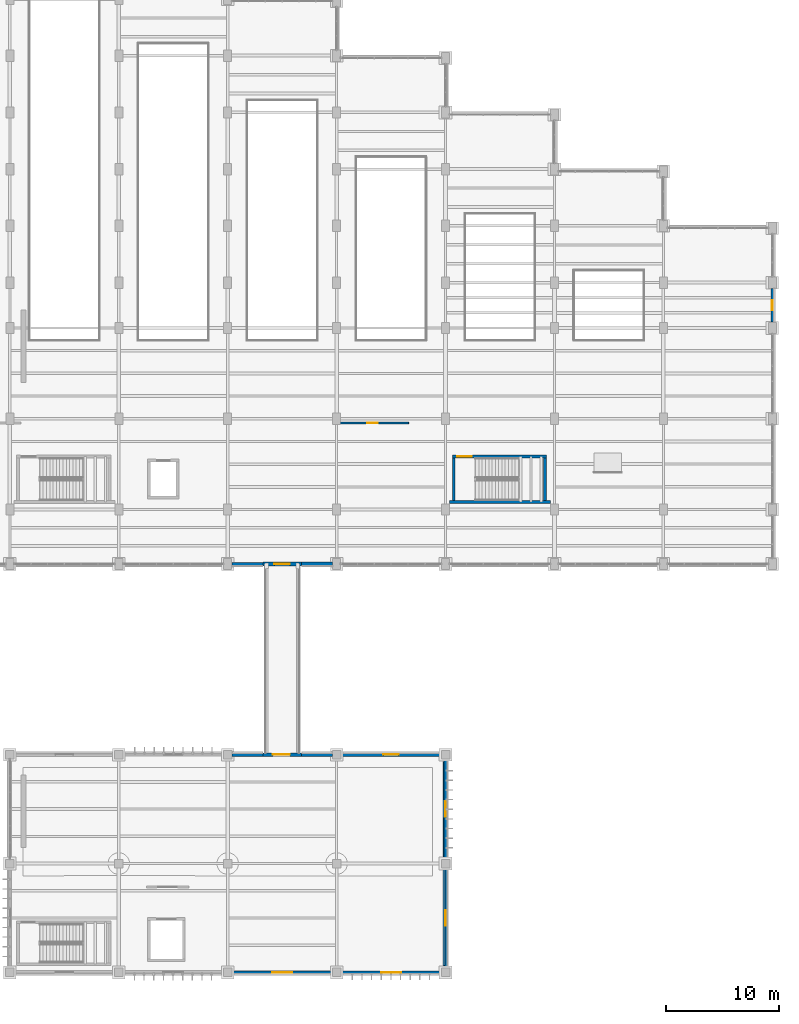
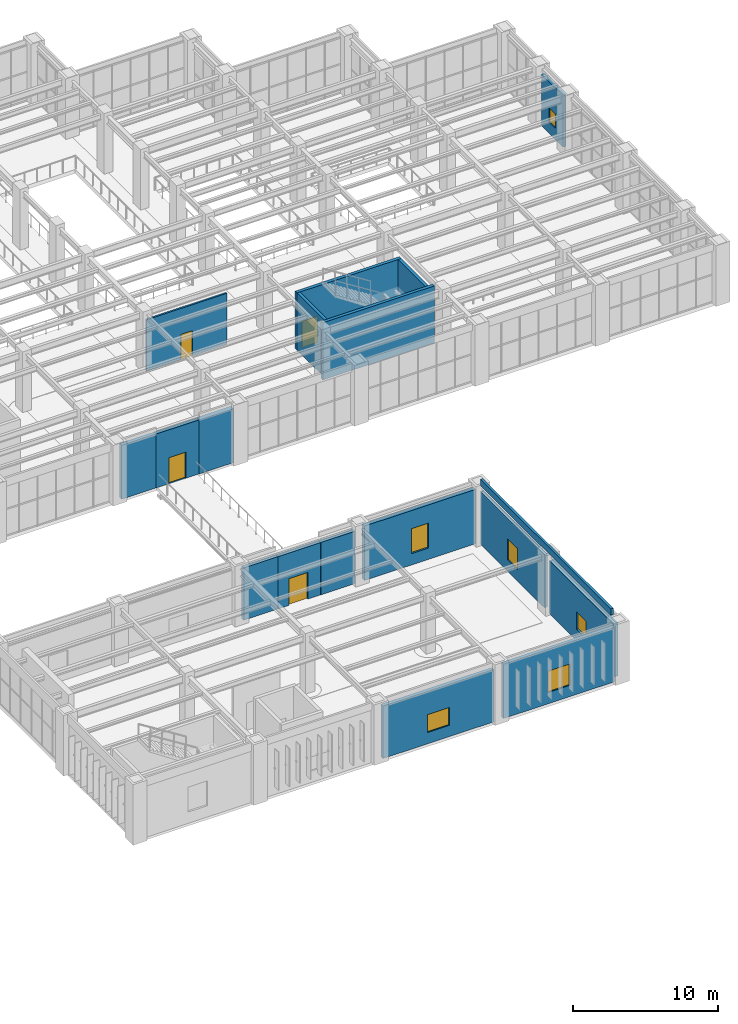
# One storey, part 146 of 174: 18 walls, 6 windows, 4 doors, 10 openings.
"""IFC4 building model written with IfcOpenShell, lengths in metres."""

from ifc_helpers import new_model, si_unit, direction, frame, frame_2d, origin, place, context, subcontext, project, spatial, rectangle, extrude, material, layer, layer_set, type_object, element, fill, save


model = new_model("IFC4")

# Units and contexts
model_context = context("Model", 3, precision=1e-05, world=origin(), true_north=direction((0.0, 1.0)))
body_context = subcontext(model_context, "Body", "Model", "MODEL_VIEW")
ifc_project = project(units=[si_unit("LENGTHUNIT", "METRE"), si_unit("AREAUNIT", "SQUARE_METRE"), si_unit("VOLUMEUNIT", "CUBIC_METRE"), si_unit("PLANEANGLEUNIT", "RADIAN"), si_unit("MASSUNIT", "GRAM", prefix="KILO")], contexts=[model_context])

# Site, building, storey
site_placement = place(None, origin())
site = spatial("IfcSite", under=ifc_project, at=site_placement, CompositionType="ELEMENT")
building_placement = place(site_placement, origin())
building = spatial("IfcBuilding", under=site, at=building_placement, Name="Mavantir Sound Aquarium", CompositionType="ELEMENT")
storey_placement = place(building_placement, frame((0.0, 0.0, 5.39990234375)))
storey = spatial("IfcBuildingStorey", under=building, at=storey_placement, Name="L01", CompositionType="ELEMENT", Elevation=5.39990234375)

# Wall, opening, door
ifc_material_1 = material(Name="Coral-Buff Architectural Precast Concrete C40/50", Category="concrete")
ifc_layer_1 = layer(ifc_material_1, 0.31005859375, Name="Coral-Buff Architectural Precast Concrete C40/50")
ifc_layer_set_1 = layer_set([ifc_layer_1], Name="Coral-Buff Architectural Precast Concrete C40/50")
wall_type_1 = type_object("IfcWallType", Name="EW-CORAL-310", PredefinedType="SOLIDWALL", material=ifc_layer_set_1)
wall_1_placement = place(storey_placement, frame((130.300048828125, 36.0, 0.0), z_axis=(0.0, 0.0, 1.0), x_axis=(1.0, 0.0, 0.0)))
wall_1 = element("IfcWall", 1, at=wall_1_placement, inside=storey, type_object=wall_type_1, Name="L01 bridge portal wall 7", PredefinedType="SOLIDWALL", context=body_context, shape_type="SweptSolid", body=[
    extrude(rectangle(XDim=3.39990234375, YDim=0.31005859375, at=frame_2d((1.699951171875, 0.0))), origin(), (0.0, 0.0, 1.0), 4.543212890625),
])
opening_1_placement = place(wall_1_placement, frame((2.3701171875, 0.0, 0.0), z_axis=(0.0, 0.0, 1.0), x_axis=(-1.0, 0.0, 0.0)))
opening_1 = element("IfcOpeningElement", 2, at=opening_1_placement, cuts=wall_1, Name="Opening ETD-02", PredefinedType="OPENING", context=body_context, shape_type="SweptSolid", body=[
    extrude(rectangle(XDim=1.35009765625, YDim=2.199951171875, at=frame_2d((0.675048828125, 1.10009765625))), frame((0.0, 0.1650390625, 0.0), z_axis=(0.0, -1.0, 0.0), x_axis=(1.0, 0.0, 0.0)), (0.0, 0.0, 1.0), 0.330078125),
])
ifc_material_2 = material(Name="Marine-Grade Anodised Aluminium and Laminated Glass", Category="aluminium")
door_type_1 = type_object("IfcDoorType", Name="DR-TER-135", OperationType="NOTDEFINED", PredefinedType="DOOR", material=ifc_material_2)
door_1_placement = place(opening_1_placement, origin())
door_1 = element("IfcDoor", 3, at=door_1_placement, inside=storey, type_object=door_type_1, Name="L01 bridge access door 7", OperationType="SINGLE_SWING_RIGHT", OverallHeight=2.199951171875, OverallWidth=1.35009765625, PredefinedType="DOOR", context=body_context, shape_type="SweptSolid", body=[
    extrude(rectangle(XDim=1.35009765625, YDim=2.199951171875, at=frame_2d((0.675048828125, 1.10009765625))), frame((0.0, 0.02490234375, 0.0), z_axis=(0.0, -1.0, 0.0), x_axis=(1.0, 0.0, 0.0)), (0.0, 0.0, 1.0), 0.050048828125),
])
fill(opening_1, door_1)

wall_2_placement = place(storey_placement, frame((133.699951171875, 19.199951171875, 0.0), z_axis=(0.0, 0.0, 1.0), x_axis=(-1.0, 0.0, 0.0)))
wall_2 = element("IfcWall", 4, at=wall_2_placement, inside=storey, type_object=wall_type_1, Name="L01 bridge portal wall 8", PredefinedType="SOLIDWALL", context=body_context, shape_type="SweptSolid", body=[
    extrude(rectangle(XDim=3.39990234375, YDim=0.31005859375, at=frame_2d((1.699951171875, 0.0))), origin(), (0.0, 0.0, 1.0), 4.408203125),
])
opening_2_placement = place(wall_2_placement, frame((2.52001953125, 0.0, 0.0), z_axis=(0.0, 0.0, 1.0), x_axis=(-1.0, 0.0, 0.0)))
opening_2 = element("IfcOpeningElement", 5, at=opening_2_placement, cuts=wall_2, Name="Opening ETD-01", PredefinedType="OPENING", context=body_context, shape_type="SweptSolid", body=[
    extrude(rectangle(XDim=1.5, YDim=2.25, at=frame_2d((0.75, 1.125))), frame((0.0, 0.1650390625, 0.0), z_axis=(0.0, -1.0, 0.0), x_axis=(1.0, 0.0, 0.0)), (0.0, 0.0, 1.0), 0.330078125),
])
door_type_2 = type_object("IfcDoorType", Name="DR-TER-150", OperationType="NOTDEFINED", PredefinedType="DOOR", material=ifc_material_2)
door_2_placement = place(opening_2_placement, origin())
door_2 = element("IfcDoor", 6, at=door_2_placement, inside=storey, type_object=door_type_2, Name="L01 bridge access door 8", OperationType="SINGLE_SWING_LEFT", OverallHeight=2.25, OverallWidth=1.5, PredefinedType="DOOR", context=body_context, shape_type="SweptSolid", body=[
    extrude(rectangle(XDim=1.5, YDim=2.25, at=frame_2d((0.75, 1.125))), frame((0.0, 0.02490234375, 0.0), z_axis=(0.0, -1.0, 0.0), x_axis=(1.0, 0.0, 0.0)), (0.0, 0.0, 1.0), 0.050048828125),
])
fill(opening_2, door_2)

# Wall
wall_3_placement = place(storey_placement, frame((136.4169921875, 19.199951171875, 0.0), z_axis=(0.0, 0.0, 1.0), x_axis=(-1.0, 0.0, 0.0)))
element("IfcWall", 7, at=wall_3_placement, inside=storey, type_object=wall_type_1, Name="L01 exterior facade wall EW-02 182", PredefinedType="SOLIDWALL", context=body_context, shape_type="SweptSolid", body=[
    extrude(rectangle(XDim=2.7119140625, YDim=0.31005859375, at=frame_2d((1.35595703125, 0.0))), origin(), (0.0, 0.0, 1.0), 4.408203125),
])

# Wall, opening, window
ifc_layer_2 = layer(ifc_material_1, 0.340087890625, Name="Coral-Buff Architectural Precast Concrete C40/50")
ifc_layer_set_2 = layer_set([ifc_layer_2], Name="Coral-Buff Architectural Precast Concrete C40/50")
wall_type_2 = type_object("IfcWallType", Name="EW-CORAL-340", PredefinedType="SOLIDWALL", material=ifc_layer_set_2)
wall_4_placement = place(storey_placement, frame((146.01708984375, 19.199951171875, 0.0), z_axis=(0.0, 0.0, 1.0), x_axis=(-1.0, 0.0, 0.0)))
wall_4 = element("IfcWall", 8, at=wall_4_placement, inside=storey, type_object=wall_type_2, Name="L01 exterior facade wall EW-01 181", PredefinedType="SOLIDWALL", context=body_context, shape_type="SweptSolid", body=[
    extrude(rectangle(XDim=8.833984375, YDim=0.340087890625, at=frame_2d((4.4169921875, 0.0))), origin(), (0.0, 0.0, 1.0), 4.5830078125),
])
opening_3_placement = place(wall_4_placement, frame((3.741943359375, 0.0, 0.949951171875)))
opening_3 = element("IfcOpeningElement", 9, at=opening_3_placement, cuts=wall_4, Name="Opening W-12", PredefinedType="OPENING", context=body_context, shape_type="SweptSolid", body=[
    extrude(rectangle(XDim=1.35009765625, YDim=2.10009765625, at=frame_2d((0.675048828125, 1.050048828125))), frame((0.0, 0.18017578125, 0.0), z_axis=(0.0, -1.0, 0.0), x_axis=(1.0, 0.0, 0.0)), (0.0, 0.0, 1.0), 0.360107421875),
])
ifc_material_3 = material(Name="Thermally Broken Aluminium and Low-E Glass", Category="aluminium")
window_type_1 = type_object("IfcWindowType", Name="WIN-EXT-12", PartitioningType="SINGLE_PANEL", PredefinedType="WINDOW", material=ifc_material_3)
window_1_placement = place(opening_3_placement, origin())
window_1 = element("IfcWindow", 10, at=window_1_placement, inside=storey, type_object=window_type_1, Name="L01 facade window W-12 60", OverallHeight=2.10009765625, OverallWidth=1.35009765625, PartitioningType="SINGLE_PANEL", PredefinedType="WINDOW", context=body_context, shape_type="SweptSolid", body=[
    extrude(rectangle(XDim=1.35009765625, YDim=2.10009765625, at=frame_2d((0.675048828125, 1.050048828125))), frame((0.0, 0.030029296875, 0.0), z_axis=(0.0, -1.0, 0.0), x_axis=(1.0, 0.0, 0.0)), (0.0, 0.0, 1.0), 0.06005859375),
])
fill(opening_3, window_1)

# Wall
ifc_material_4 = material(Name="Architectural Precast Concrete C40/50", Category="concrete")
ifc_layer_3 = layer(ifc_material_4, 0.18994140625, Name="Architectural Precast Concrete C40/50")
ifc_layer_set_3 = layer_set([ifc_layer_3], Name="Architectural Precast Concrete C40/50")
wall_type_3 = type_object("IfcWallType", Name="EW-PAR-190", PredefinedType="PARAPET", material=ifc_layer_set_3)
wall_5_placement = place(storey_placement, frame((146.25, 0.60009765625, 5.10009765625), z_axis=(0.0, 0.0, 1.0), x_axis=(0.0, 1.0, 0.0)))
element("IfcWall", 11, at=wall_5_placement, inside=storey, type_object=wall_type_3, Name="Roof gravel-stop parapet 6A", PredefinedType="PARAPET", context=body_context, shape_type="SweptSolid", body=[
    extrude(rectangle(XDim=18.0, YDim=0.18994140625, at=frame_2d((9.0, 0.0))), origin(), (0.0, 0.0, 1.0), 0.550048828125),
])

# Wall, opening, window
ifc_layer_4 = layer(ifc_material_4, 0.239990234375, Name="Architectural Precast Concrete C40/50")
ifc_layer_set_4 = layer_set([ifc_layer_4], Name="Architectural Precast Concrete C40/50")
wall_type_4 = type_object("IfcWallType", Name="EW-PRE-240", PredefinedType="SOLIDWALL", material=ifc_layer_set_4)
wall_6_placement = place(storey_placement, frame((175.199951171875, 57.30810546875, 0.0), z_axis=(0.0, 0.0, 1.0), x_axis=(0.0, 1.0, 0.0)))
wall_6 = element("IfcWall", 12, at=wall_6_placement, inside=storey, type_object=wall_type_4, Name="L01 exterior facade wall EW-06 168", PredefinedType="SOLIDWALL", context=body_context, shape_type="SweptSolid", body=[
    extrude(rectangle(XDim=2.98388671875, YDim=0.239990234375, at=frame_2d((1.491943359375, 0.0))), origin(), (0.0, 0.0, 1.0), 4.359130859375),
])
opening_4_placement = place(wall_6_placement, frame((1.0419921875, 0.0, 0.949951171875)))
opening_4 = element("IfcOpeningElement", 13, at=opening_4_placement, cuts=wall_6, Name="Opening W-01", PredefinedType="OPENING", context=body_context, shape_type="SweptSolid", body=[
    extrude(rectangle(XDim=0.89990234375, YDim=1.199951171875, at=frame_2d((0.449951171875, 0.60009765625))), frame((0.0, 0.1298828125, 0.0), z_axis=(0.0, -1.0, 0.0), x_axis=(1.0, 0.0, 0.0)), (0.0, 0.0, 1.0), 0.260009765625),
])
window_type_2 = type_object("IfcWindowType", Name="WIN-EXT-01", PartitioningType="SINGLE_PANEL", PredefinedType="WINDOW", material=ifc_material_3)
window_2_placement = place(opening_4_placement, origin())
window_2 = element("IfcWindow", 14, at=window_2_placement, inside=storey, type_object=window_type_2, Name="L01 facade window W-01 49", OverallHeight=1.199951171875, OverallWidth=0.89990234375, PartitioningType="SINGLE_PANEL", PredefinedType="WINDOW", context=body_context, shape_type="SweptSolid", body=[
    extrude(rectangle(XDim=0.89990234375, YDim=1.199951171875, at=frame_2d((0.449951171875, 0.60009765625))), frame((0.0, 0.030029296875, 0.0), z_axis=(0.0, -1.0, 0.0), x_axis=(1.0, 0.0, 0.0)), (0.0, 0.0, 1.0), 0.06005859375),
])
fill(opening_4, window_2)

wall_7_placement = place(storey_placement, frame((146.39990234375, 9.98291015625, 0.0), z_axis=(0.0, 0.0, 1.0), x_axis=(0.0, 1.0, 0.0)))
wall_7 = element("IfcWall", 15, at=wall_7_placement, inside=storey, type_object=wall_type_4, Name="L01 exterior facade wall EW-06 180", PredefinedType="SOLIDWALL", context=body_context, shape_type="SweptSolid", body=[
    extrude(rectangle(XDim=8.833984375, YDim=0.239990234375, at=frame_2d((4.4169921875, 0.0))), origin(), (0.0, 0.0, 1.0), 4.47802734375),
])
opening_5_placement = place(wall_7_placement, frame((3.741943359375, 0.0, 0.949951171875)))
opening_5 = element("IfcOpeningElement", 16, at=opening_5_placement, cuts=wall_7, Name="Opening W-11", PredefinedType="OPENING", context=body_context, shape_type="SweptSolid", body=[
    extrude(rectangle(XDim=1.35009765625, YDim=1.800048828125, at=frame_2d((0.675048828125, 0.89990234375))), frame((0.0, 0.1298828125, 0.0), z_axis=(0.0, -1.0, 0.0), x_axis=(1.0, 0.0, 0.0)), (0.0, 0.0, 1.0), 0.260009765625),
])
window_type_3 = type_object("IfcWindowType", Name="WIN-EXT-11", PartitioningType="SINGLE_PANEL", PredefinedType="WINDOW", material=ifc_material_3)
window_3_placement = place(opening_5_placement, origin())
window_3 = element("IfcWindow", 17, at=window_3_placement, inside=storey, type_object=window_type_3, Name="L01 facade window W-11 59", OverallHeight=1.800048828125, OverallWidth=1.35009765625, PartitioningType="SINGLE_PANEL", PredefinedType="WINDOW", context=body_context, shape_type="SweptSolid", body=[
    extrude(rectangle(XDim=1.35009765625, YDim=1.800048828125, at=frame_2d((0.675048828125, 0.89990234375))), frame((0.0, 0.030029296875, 0.0), z_axis=(0.0, -1.0, 0.0), x_axis=(1.0, 0.0, 0.0)), (0.0, 0.0, 1.0), 0.06005859375),
])
fill(opening_5, window_3)

# Wall
ifc_layer_5 = layer(ifc_material_1, 0.360107421875, Name="Coral-Buff Architectural Precast Concrete C40/50")
ifc_layer_set_5 = layer_set([ifc_layer_5], Name="Coral-Buff Architectural Precast Concrete C40/50")
wall_type_5 = type_object("IfcWallType", Name="EW-PRE-360", PredefinedType="SOLIDWALL", material=ifc_layer_set_5)
wall_8_placement = place(storey_placement, frame((133.705078125, 36.0, 0.0), z_axis=(0.0, 0.0, 1.0), x_axis=(1.0, 0.0, 0.0)))
element("IfcWall", 18, at=wall_8_placement, inside=storey, type_object=wall_type_5, Name="L01 exterior facade wall EW-05 167", PredefinedType="SOLIDWALL", context=body_context, shape_type="SweptSolid", body=[
    extrude(rectangle(XDim=2.73681640625, YDim=0.360107421875, at=frame_2d((1.368408203125, 0.0))), origin(), (0.0, 0.0, 1.0), 4.543212890625),
])

# Wall, opening, window
wall_9_placement = place(storey_placement, frame((146.39990234375, 0.383056640625, 0.0), z_axis=(0.0, 0.0, 1.0), x_axis=(0.0, 1.0, 0.0)))
wall_9 = element("IfcWall", 19, at=wall_9_placement, inside=storey, type_object=wall_type_5, Name="L01 exterior facade wall EW-05 179", PredefinedType="SOLIDWALL", context=body_context, shape_type="SweptSolid", body=[
    extrude(rectangle(XDim=8.833984375, YDim=0.360107421875, at=frame_2d((4.4169921875, 0.0))), origin(), (0.0, 0.0, 1.0), 4.47802734375),
])
opening_6_placement = place(wall_9_placement, frame((3.741943359375, 0.0, 0.949951171875)))
opening_6 = element("IfcOpeningElement", 20, at=opening_6_placement, cuts=wall_9, Name="Opening W-10", PredefinedType="OPENING", context=body_context, shape_type="SweptSolid", body=[
    extrude(rectangle(XDim=1.35009765625, YDim=1.5, at=frame_2d((0.675048828125, 0.75))), frame((0.0, 0.18994140625, 0.0), z_axis=(0.0, -1.0, 0.0), x_axis=(1.0, 0.0, 0.0)), (0.0, 0.0, 1.0), 0.380126953125),
])
window_type_4 = type_object("IfcWindowType", Name="WIN-EXT-10", PartitioningType="SINGLE_PANEL", PredefinedType="WINDOW", material=ifc_material_3)
window_4_placement = place(opening_6_placement, origin())
window_4 = element("IfcWindow", 21, at=window_4_placement, inside=storey, type_object=window_type_4, Name="L01 facade window W-10 58", OverallHeight=1.5, OverallWidth=1.35009765625, PartitioningType="SINGLE_PANEL", PredefinedType="WINDOW", context=body_context, shape_type="SweptSolid", body=[
    extrude(rectangle(XDim=1.35009765625, YDim=1.5, at=frame_2d((0.675048828125, 0.75))), frame((0.0, 0.030029296875, 0.0), z_axis=(0.0, -1.0, 0.0), x_axis=(1.0, 0.0, 0.0)), (0.0, 0.0, 1.0), 0.06005859375),
])
fill(opening_6, window_4)

# Wall
ifc_material_5 = material(Name="Cerulean Glazed Terracotta Rainscreen on Concrete C40/50", Category="masonry")
ifc_layer_6 = layer(ifc_material_5, 0.27001953125, Name="Cerulean Glazed Terracotta Rainscreen on Concrete C40/50")
ifc_layer_set_6 = layer_set([ifc_layer_6], Name="Cerulean Glazed Terracotta Rainscreen on Concrete C40/50")
wall_type_6 = type_object("IfcWallType", Name="EW-TERRA-270", PredefinedType="SOLIDWALL", material=ifc_layer_set_6)
wall_10_placement = place(storey_placement, frame((127.55810546875, 36.0, 0.0), z_axis=(0.0, 0.0, 1.0), x_axis=(1.0, 0.0, 0.0)))
element("IfcWall", 22, at=wall_10_placement, inside=storey, type_object=wall_type_6, Name="L01 exterior facade wall EW-04 166", PredefinedType="SOLIDWALL", context=body_context, shape_type="SweptSolid", body=[
    extrude(rectangle(XDim=2.73681640625, YDim=0.27001953125, at=frame_2d((1.368408203125, 0.0))), origin(), (0.0, 0.0, 1.0), 4.543212890625),
])

# Wall, opening, window
wall_11_placement = place(storey_placement, frame((137.18310546875, 0.0, 0.0), z_axis=(0.0, 0.0, 1.0), x_axis=(1.0, 0.0, 0.0)))
wall_11 = element("IfcWall", 23, at=wall_11_placement, inside=storey, type_object=wall_type_6, Name="L01 exterior facade wall EW-04 190", PredefinedType="SOLIDWALL", context=body_context, shape_type="SweptSolid", body=[
    extrude(rectangle(XDim=8.833984375, YDim=0.27001953125, at=frame_2d((4.4169921875, 0.0))), origin(), (0.0, 0.0, 1.0), 4.5830078125),
])
opening_7_placement = place(wall_11_placement, frame((3.5419921875, 0.0, 0.949951171875)))
opening_7 = element("IfcOpeningElement", 24, at=opening_7_placement, cuts=wall_11, Name="Opening W-19", PredefinedType="OPENING", context=body_context, shape_type="SweptSolid", body=[
    extrude(rectangle(XDim=1.75, YDim=1.800048828125, at=frame_2d((0.875, 0.89990234375))), frame((0.0, 0.14501953125, 0.0), z_axis=(0.0, -1.0, 0.0), x_axis=(1.0, 0.0, 0.0)), (0.0, 0.0, 1.0), 0.2900390625),
])
window_type_5 = type_object("IfcWindowType", Name="WIN-EXT-19", PartitioningType="DOUBLE_PANEL_VERTICAL", PredefinedType="WINDOW", material=ifc_material_3)
window_5_placement = place(opening_7_placement, origin())
window_5 = element("IfcWindow", 25, at=window_5_placement, inside=storey, type_object=window_type_5, Name="L01 facade window W-19 67", OverallHeight=1.800048828125, OverallWidth=1.75, PartitioningType="SINGLE_PANEL", PredefinedType="WINDOW", context=body_context, shape_type="SweptSolid", body=[
    extrude(rectangle(XDim=1.75, YDim=1.800048828125, at=frame_2d((0.875, 0.89990234375))), frame((0.0, 0.030029296875, 0.0), z_axis=(0.0, -1.0, 0.0), x_axis=(1.0, 0.0, 0.0)), (0.0, 0.0, 1.0), 0.06005859375),
])
fill(opening_7, window_5)

# Wall
ifc_material_6 = material(Name="Turquoise Glazed Terracotta Rainscreen on Concrete C40/50", Category="masonry")
ifc_layer_7 = layer(ifc_material_6, 0.2900390625, Name="Turquoise Glazed Terracotta Rainscreen on Concrete C40/50")
ifc_layer_set_7 = layer_set([ifc_layer_7], Name="Turquoise Glazed Terracotta Rainscreen on Concrete C40/50")
wall_type_7 = type_object("IfcWallType", Name="EW-TERRA-290", PredefinedType="SOLIDWALL", material=ifc_layer_set_7)
wall_12_placement = place(storey_placement, frame((130.294921875, 19.199951171875, 0.0), z_axis=(0.0, 0.0, 1.0), x_axis=(-1.0, 0.0, 0.0)))
element("IfcWall", 26, at=wall_12_placement, inside=storey, type_object=wall_type_7, Name="L01 exterior facade wall EW-03 183", PredefinedType="SOLIDWALL", context=body_context, shape_type="SweptSolid", body=[
    extrude(rectangle(XDim=2.7119140625, YDim=0.2900390625, at=frame_2d((1.35595703125, 0.0))), origin(), (0.0, 0.0, 1.0), 4.408203125),
])

# Wall, opening, window
wall_13_placement = place(storey_placement, frame((127.5830078125, 0.0, 0.0), z_axis=(0.0, 0.0, 1.0), x_axis=(1.0, 0.0, 0.0)))
wall_13 = element("IfcWall", 27, at=wall_13_placement, inside=storey, type_object=wall_type_7, Name="L01 exterior facade wall EW-03 189", PredefinedType="SOLIDWALL", context=body_context, shape_type="SweptSolid", body=[
    extrude(rectangle(XDim=8.833984375, YDim=0.2900390625, at=frame_2d((4.4169921875, 0.0))), origin(), (0.0, 0.0, 1.0), 4.408203125),
])
opening_8_placement = place(wall_13_placement, frame((3.5419921875, 0.0, 0.949951171875)))
opening_8 = element("IfcOpeningElement", 28, at=opening_8_placement, cuts=wall_13, Name="Opening W-18", PredefinedType="OPENING", context=body_context, shape_type="SweptSolid", body=[
    extrude(rectangle(XDim=1.75, YDim=1.5, at=frame_2d((0.875, 0.75))), frame((0.0, 0.155029296875, 0.0), z_axis=(0.0, -1.0, 0.0), x_axis=(1.0, 0.0, 0.0)), (0.0, 0.0, 1.0), 0.31005859375),
])
window_type_6 = type_object("IfcWindowType", Name="WIN-EXT-18", PartitioningType="DOUBLE_PANEL_VERTICAL", PredefinedType="WINDOW", material=ifc_material_3)
window_6_placement = place(opening_8_placement, origin())
window_6 = element("IfcWindow", 29, at=window_6_placement, inside=storey, type_object=window_type_6, Name="L01 facade window W-18 66", OverallHeight=1.5, OverallWidth=1.75, PartitioningType="SINGLE_PANEL", PredefinedType="WINDOW", context=body_context, shape_type="SweptSolid", body=[
    extrude(rectangle(XDim=1.75, YDim=1.5, at=frame_2d((0.875, 0.75))), frame((0.0, 0.030029296875, 0.0), z_axis=(0.0, -1.0, 0.0), x_axis=(1.0, 0.0, 0.0)), (0.0, 0.0, 1.0), 0.06005859375),
])
fill(opening_8, window_6)

# Wall, opening, door
ifc_material_7 = material(Name="Moisture-Resistant Marine Gypsum Partition", Category="gypsum")
ifc_layer_8 = layer(ifc_material_7, 0.139892578125, Name="Moisture-Resistant Marine Gypsum Partition")
ifc_layer_set_8 = layer_set([ifc_layer_8], Name="Moisture-Resistant Marine Gypsum Partition")
wall_type_8 = type_object("IfcWallType", Name="IW-PART-140", PredefinedType="PARTITIONING", material=ifc_layer_set_8)
wall_14_placement = place(storey_placement, frame((136.75, 48.425048828125, 0.0), z_axis=(0.0, 0.0, 1.0), x_axis=(1.0, 0.0, 0.0)))
wall_14 = element("IfcWall", 30, at=wall_14_placement, inside=storey, type_object=wall_type_8, Name="L01 Scalloped Seagrass and Bioluminescence Exhibit Gallery entry partition", PredefinedType="PARTITIONING", context=body_context, shape_type="SweptSolid", body=[
    extrude(rectangle(XDim=6.39990234375, YDim=0.139892578125, at=frame_2d((3.199951171875, 0.0))), origin(), (0.0, 0.0, 1.0), 4.30712890625),
])
opening_9_placement = place(wall_14_placement, frame((2.739990234375, 0.0, 0.0)))
opening_9 = element("IfcOpeningElement", 31, at=opening_9_placement, cuts=wall_14, Name="Opening ID-01", PredefinedType="OPENING", context=body_context, shape_type="SweptSolid", body=[
    extrude(rectangle(XDim=0.919921875, YDim=2.1201171875, at=frame_2d((0.4599609375, 1.06005859375))), frame((0.0, 0.080078125, 0.0), z_axis=(0.0, -1.0, 0.0), x_axis=(1.0, 0.0, 0.0)), (0.0, 0.0, 1.0), 0.159912109375),
])
ifc_material_8 = material(Name="Solid-Core Marine Hardwood and Vision-Panel Door", Category="wood")
door_type_3 = type_object("IfcDoorType", Name="DR-INT-01", OperationType="NOTDEFINED", PredefinedType="DOOR", material=ifc_material_8)
door_3_placement = place(opening_9_placement, origin())
door_3 = element("IfcDoor", 32, at=door_3_placement, inside=storey, type_object=door_type_3, Name="Scalloped Seagrass and Bioluminescence Exhibit Gallery door", OperationType="SINGLE_SWING_LEFT", OverallHeight=2.1201171875, OverallWidth=0.919921875, PredefinedType="DOOR", context=body_context, shape_type="SweptSolid", body=[
    extrude(rectangle(XDim=0.919921875, YDim=2.1201171875, at=frame_2d((0.4599609375, 1.06005859375))), frame((0.0, 0.02490234375, 0.0), z_axis=(0.0, -1.0, 0.0), x_axis=(1.0, 0.0, 0.0)), (0.0, 0.0, 1.0), 0.050048828125),
])
fill(opening_9, door_3)

# Wall
ifc_material_9 = material(Name="Concrete C40/50", Category="concrete")
ifc_layer_9 = layer(ifc_material_9, 0.25, Name="Concrete C40/50")
ifc_layer_set_9 = layer_set([ifc_layer_9], Name="Concrete C40/50")
wall_type_9 = type_object("IfcWallType", Name="IW-SHAFT-250", PredefinedType="SHEAR", material=ifc_layer_set_9)
wall_15_placement = place(storey_placement, frame((146.75, 41.47509765625, 0.0), z_axis=(0.0, 0.0, 1.0), x_axis=(1.0, 0.0, 0.0)))
element("IfcWall", 33, at=wall_15_placement, inside=storey, type_object=wall_type_9, Name="L01 stair ST12 shaft wall S", PredefinedType="SHEAR", context=body_context, shape_type="SweptSolid", body=[
    extrude(rectangle(XDim=8.89990234375, YDim=0.25, at=frame_2d((4.449951171875, 0.0))), origin(), (0.0, 0.0, 1.0), 4.81005859375),
])

# Wall, opening, door
wall_16_placement = place(storey_placement, frame((155.300048828125, 45.47509765625, 0.0), z_axis=(0.0, 0.0, 1.0), x_axis=(-1.0, 0.0, 0.0)))
wall_16 = element("IfcWall", 34, at=wall_16_placement, inside=storey, type_object=wall_type_9, Name="L01 stair ST12 shaft wall N", PredefinedType="SHEAR", context=body_context, shape_type="SweptSolid", body=[
    extrude(rectangle(XDim=8.300048828125, YDim=0.25, at=frame_2d((4.14990234375, 0.0))), origin(), (0.0, 0.0, 1.0), 4.81005859375),
])
opening_10_placement = place(wall_16_placement, frame((7.85009765625, 0.0, 0.0), z_axis=(0.0, 0.0, 1.0), x_axis=(-1.0, 0.0, 0.0)))
opening_10 = element("IfcOpeningElement", 35, at=opening_10_placement, cuts=wall_16, Name="Opening SD-01", PredefinedType="OPENING", context=body_context, shape_type="SweptSolid", body=[
    extrude(rectangle(XDim=1.25, YDim=2.199951171875, at=frame_2d((0.625, 1.10009765625))), frame((0.0, 0.135009765625, 0.0), z_axis=(0.0, -1.0, 0.0), x_axis=(1.0, 0.0, 0.0)), (0.0, 0.0, 1.0), 0.27001953125),
])
ifc_material_10 = material(Name="Fire-Rated Steel Acoustic Door Leaf", Category="steel")
door_type_4 = type_object("IfcDoorType", Name="DR-ST-125", OperationType="NOTDEFINED", PredefinedType="DOOR", material=ifc_material_10)
door_4_placement = place(opening_10_placement, origin())
door_4 = element("IfcDoor", 36, at=door_4_placement, inside=storey, type_object=door_type_4, Name="L01 protected exit stair ST12 door", OperationType="SINGLE_SWING_RIGHT", OverallHeight=2.199951171875, OverallWidth=1.25, PredefinedType="DOOR", context=body_context, shape_type="SweptSolid", body=[
    extrude(rectangle(XDim=1.25, YDim=2.199951171875, at=frame_2d((0.625, 1.10009765625))), frame((0.0, 0.02490234375, 0.0), z_axis=(0.0, -1.0, 0.0), x_axis=(1.0, 0.0, 0.0)), (0.0, 0.0, 1.0), 0.050048828125),
])
fill(opening_10, door_4)

# Walls
for number, where, z_axis, x_axis, name in (
    (37, (147.125, 45.35009765625, 0.0), (0.0, 0.0, 1.0), (0.0, -1.0, 0.0), "L01 stair ST12 shaft wall W"),
    (38, (155.175048828125, 41.60009765625, 0.0), (0.0, 0.0, 1.0), (0.0, 1.0, 0.0), "L01 stair ST12 shaft wall E"),
):
    element("IfcWall", number, at=place(storey_placement, frame(where, z_axis=z_axis, x_axis=x_axis)), inside=storey, type_object=wall_type_9, Name=name, PredefinedType="SHEAR", context=body_context, shape_type="SweptSolid", body=[
        extrude(rectangle(XDim=3.75, YDim=0.25, at=frame_2d((1.875, 0.0))), origin(), (0.0, 0.0, 1.0), 4.81005859375),
    ])

save(model, "model.ifc")
